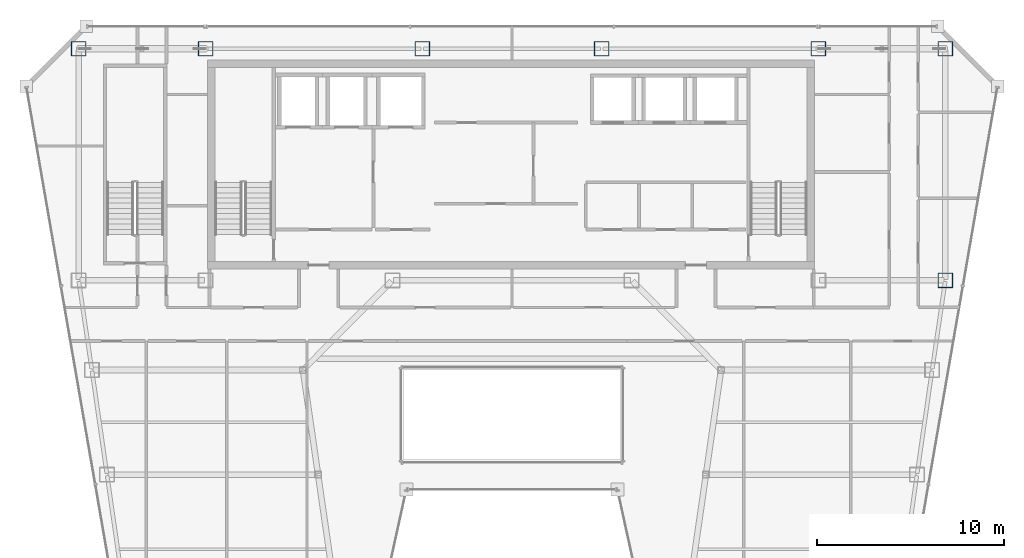
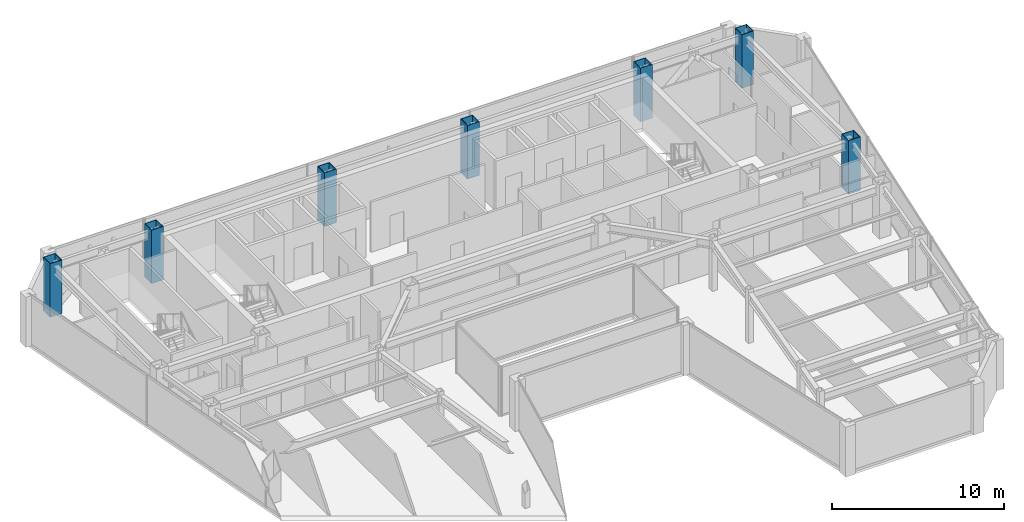
# One storey, part 2 of 33: 7 columns.
"""IFC4 building model written with IfcOpenShell, lengths in metres."""

from ifc_helpers import new_model, si_unit, direction, frame, origin, origin_2d, place, context, subcontext, project, spatial, hollow_rectangle, extrude, material, material_profile, profile_set, type_object, element, save


model = new_model("IFC4")

# Units and contexts
model_context = context("Model", 3, precision=1e-05, world=origin(), true_north=direction((0.0, 1.0)))
body_context = subcontext(model_context, "Body", "Model", "MODEL_VIEW")
ifc_project = project(units=[si_unit("LENGTHUNIT", "METRE"), si_unit("AREAUNIT", "SQUARE_METRE"), si_unit("VOLUMEUNIT", "CUBIC_METRE"), si_unit("PLANEANGLEUNIT", "RADIAN"), si_unit("MASSUNIT", "GRAM", prefix="KILO")], contexts=[model_context])

# Site, building, storey
site_placement = place(None, origin())
site = spatial("IfcSite", under=ifc_project, at=site_placement, CompositionType="ELEMENT")
building_placement = place(site_placement, origin())
building = spatial("IfcBuilding", under=site, at=building_placement, Name="Saevonmaru Cultural Tower", CompositionType="ELEMENT")
storey_placement = place(building_placement, frame((0.0, 0.0, 238.199951171875)))
storey = spatial("IfcBuildingStorey", under=building, at=storey_placement, Name="L55", CompositionType="ELEMENT", Elevation=238.199951171875)

# Columns
ifc_material = material(Name="Steel SM420", Category="steel")
ifc_material_profile = material_profile(ifc_material, hollow_rectangle(XDim=0.800048828125, YDim=0.800048828125, WallThickness=0.035888671875, at=origin_2d()), Name="BOX-800x800x36")
ifc_profile_set = profile_set([ifc_material_profile], Name="Steel SM420")
column_type = type_object("IfcColumnType", Name="COL-BOX-800", PredefinedType="COLUMN", material=ifc_profile_set)
for number, where, z_axis, x_axis, name in (
    (1, (6.800048828125, 54.800048828125, 0.0), (0.0, 0.0, 1.0), (1.0, 0.0, 0.0), "L55 Column TC-N1N"),
    (2, (13.60009765625, 54.800048828125, 0.0), (0.0, 0.0, 1.0), (1.0, 0.0, 0.0), "L55 Column TC-N2N"),
    (3, (25.199951171875, 54.800048828125, 0.0), (0.0, 0.0, 1.0), (1.0, 0.0, 0.0), "L55 Column TC-N3N"),
    (4, (34.800048828125, 54.800048828125, 0.0), (0.0, 0.0, 1.0), (1.0, 0.0, 0.0), "L55 Column TC-N4N"),
    (5, (46.39990234375, 54.800048828125, 0.0), (0.0, 0.0, 1.0), (1.0, 0.0, 0.0), "L55 Column TC-N5N"),
    (6, (53.199951171875, 54.800048828125, 0.0), (0.0, 0.0, 1.0), (1.0, 0.0, 0.0), "L55 Column TC-N6N"),
    (7, (53.199951171875, 42.39990234375, 0.0), (0.0, 0.0, 1.0), (1.0, 0.0, 0.0), "L55 Column TC-S6C"),
):
    element("IfcColumn", number, at=place(storey_placement, frame(where, z_axis=z_axis, x_axis=x_axis)), inside=storey, type_object=column_type, Name=name, PredefinedType="COLUMN", context=body_context, shape_type="SweptSolid", body=[
        extrude(hollow_rectangle(XDim=0.800048828125, YDim=0.800048828125, WallThickness=0.035888671875, at=origin_2d()), origin(), (0.0, 0.0, 1.0), 3.800048828125),
    ])

save(model, "model.ifc")
